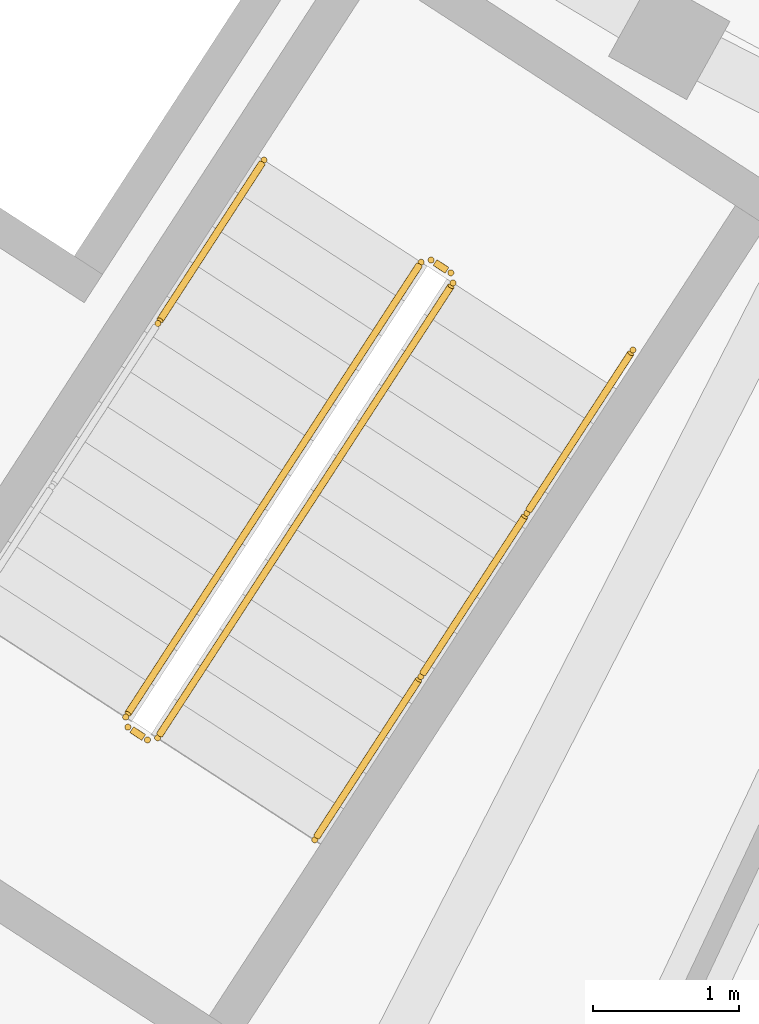
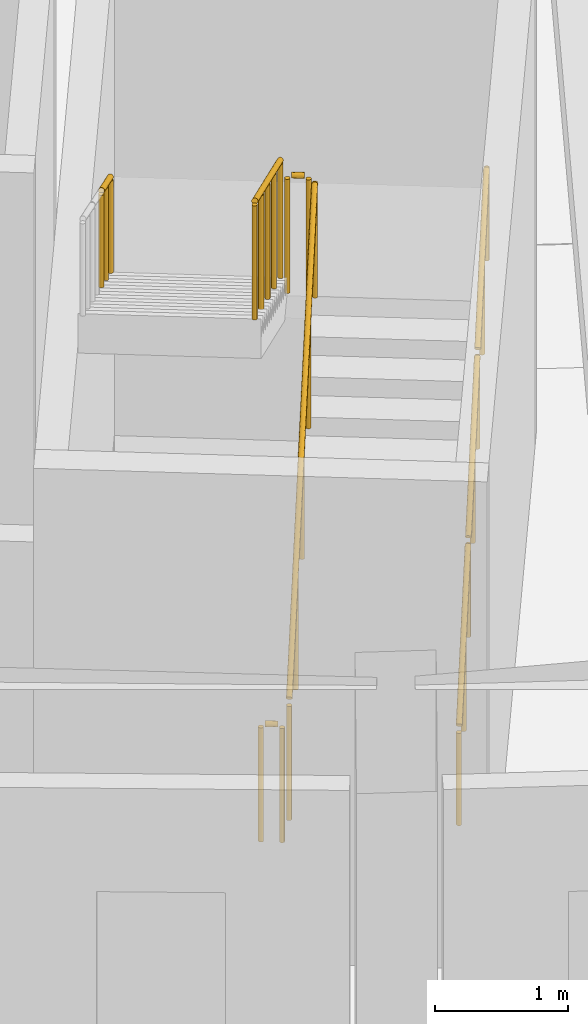
# One storey, part 113 of 132: 8 railings.
"""IFC4 building model written with IfcOpenShell, lengths in metres."""

from ifc_helpers import new_model, si_unit, direction, frame, origin, origin_2d, place, context, subcontext, project, spatial, circle, extrude, material, type_object, element, save


model = new_model("IFC4")

# Units and contexts
model_context = context("Model", 3, precision=1e-05, world=origin(), true_north=direction((0.0, 1.0)))
body_context = subcontext(model_context, "Body", "Model", "MODEL_VIEW")
ifc_project = project(units=[si_unit("LENGTHUNIT", "METRE"), si_unit("AREAUNIT", "SQUARE_METRE"), si_unit("VOLUMEUNIT", "CUBIC_METRE"), si_unit("PLANEANGLEUNIT", "RADIAN"), si_unit("MASSUNIT", "GRAM", prefix="KILO")], contexts=[model_context])

# Site, building, storey
site_placement = place(None, origin())
site = spatial("IfcSite", under=ifc_project, at=site_placement, CompositionType="ELEMENT")
building_placement = place(site_placement, origin())
building = spatial("IfcBuilding", under=site, at=building_placement, Name="Tanwirah Colonnade Gardens", CompositionType="ELEMENT")
storey_placement = place(building_placement, origin())
storey = spatial("IfcBuildingStorey", under=building, at=storey_placement, Name="L00", CompositionType="ELEMENT", Elevation=0.0)

# Railings
ifc_material_1 = material(Name="Powder-coated galvanized steel", Category="steel")
railing_type_1 = type_object("IfcRailingType", Name="GRD-ST110", PredefinedType="GUARDRAIL", material=ifc_material_1)
railing_1_placement = place(storey_placement, frame((39.955078125, 20.84814453125, 0.169921875)))
element("IfcRailing", 1, at=railing_1_placement, inside=storey, type_object=railing_type_1, Name="L00 ST-C2 stair guard 1", PredefinedType="GUARDRAIL", context=body_context, shape_type="SweptSolid", body=[
    extrude(circle(Radius=0.02392578125, at=origin_2d()), frame((0.0146484375, 0.0224609375, 1.092041015625), z_axis=(0.46774451369, 0.720264298335, 0.51228352546), x_axis=(-0.838670882147, 0.544638551186, 0.0)), (0.0, 0.0, 1.0), 4.25146484375),
    extrude(circle(Radius=0.02099609375, at=origin_2d()), origin(), (0.0, 0.0, 1.0), 1.049072265625),
    extrude(circle(Radius=0.02099609375, at=origin_2d()), frame((0.50439453125, 0.77685546875, 0.552490234375)), (0.0, 0.0, 1.0), 1.049072265625),
    extrude(circle(Radius=0.02099609375, at=origin_2d()), frame((1.0087890625, 1.5537109375, 1.10498046875)), (0.0, 0.0, 1.0), 1.049072265625),
    extrude(circle(Radius=0.02099609375, at=origin_2d()), frame((1.513427734375, 2.330322265625, 1.657470703125)), (0.0, 0.0, 1.0), 1.049072265625),
    extrude(circle(Radius=0.02099609375, at=origin_2d()), frame((2.017822265625, 3.107177734375, 2.2099609375)), (0.0, 0.0, 1.0), 1.049072265625),
])
railing_2_placement = place(storey_placement, frame((41.958251953125, 24.024658203125, 2.3798828125)))
element("IfcRailing", 2, at=railing_2_placement, inside=storey, type_object=railing_type_1, Name="L00 ST-C2 stair guard 2", PredefinedType="GUARDRAIL", context=body_context, shape_type="SweptSolid", body=[
    extrude(circle(Radius=0.02392578125, at=origin_2d()), frame((-0.026123046875, 0.01708984375, 1.076171875), z_axis=(-0.838791880614, 0.544452184326, 0.0), x_axis=(-0.544452184326, -0.838791880614, 0.0)), (0.0, 0.0, 1.0), 0.09765625),
    extrude(circle(Radius=0.02099609375, at=origin_2d()), origin(), (0.0, 0.0, 1.0), 1.049072265625),
    extrude(circle(Radius=0.02099609375, at=origin_2d()), frame((-0.13427734375, 0.087158203125, 0.0)), (0.0, 0.0, 1.0), 1.049072265625),
])
railing_3_placement = place(storey_placement, frame((41.7548828125, 24.096923828125, 2.550048828125)))
element("IfcRailing", 3, at=railing_3_placement, inside=storey, type_object=railing_type_1, Name="L00 ST-C2 stair guard 3", PredefinedType="GUARDRAIL", context=body_context, shape_type="SweptSolid", body=[
    extrude(circle(Radius=0.02392578125, at=origin_2d()), frame((-0.0146484375, -0.0224609375, 1.092041015625), z_axis=(-0.46774451369, -0.720264298335, 0.51228352546), x_axis=(0.838670882147, -0.544638551186, 0.0)), (0.0, 0.0, 1.0), 4.25146484375),
    extrude(circle(Radius=0.02099609375, at=origin_2d()), origin(), (0.0, 0.0, 1.0), 1.049072265625),
    extrude(circle(Radius=0.02099609375, at=origin_2d()), frame((-0.50439453125, -0.77685546875, 0.552490234375)), (0.0, 0.0, 1.0), 1.049072265625),
    extrude(circle(Radius=0.02099609375, at=origin_2d()), frame((-1.0087890625, -1.5537109375, 1.10498046875)), (0.0, 0.0, 1.0), 1.049072265625),
    extrude(circle(Radius=0.02099609375, at=origin_2d()), frame((-1.513427734375, -2.330322265625, 1.657470703125)), (0.0, 0.0, 1.0), 1.049072265625),
    extrude(circle(Radius=0.02099609375, at=origin_2d()), frame((-2.017822265625, -3.107177734375, 2.2099609375)), (0.0, 0.0, 1.0), 1.049072265625),
])
railing_4_placement = place(storey_placement, frame((39.8857421875, 20.83349609375, 0.0)))
element("IfcRailing", 4, at=railing_4_placement, inside=storey, type_object=railing_type_1, Name="L00 ST-C2 stair guard 4", PredefinedType="GUARDRAIL", context=body_context, shape_type="SweptSolid", body=[
    extrude(circle(Radius=0.02392578125, at=origin_2d()), frame((-0.026123046875, 0.01708984375, 1.076171875), z_axis=(-0.838338936283, 0.545149362938, 0.0), x_axis=(-0.545149362938, -0.838338936283, 0.0)), (0.0, 0.0, 1.0), 0.097412109375),
    extrude(circle(Radius=0.02099609375, at=origin_2d()), origin(), (0.0, 0.0, 1.0), 1.049072265625),
    extrude(circle(Radius=0.02099609375, at=origin_2d()), frame((-0.134033203125, 0.087158203125, 0.0)), (0.0, 0.0, 1.0), 1.049072265625),
])
ifc_material_2 = material(Name="Brushed bronze stainless steel", Category="steel")
railing_type_2 = type_object("IfcRailingType", Name="HR-ST090", PredefinedType="HANDRAIL", material=ifc_material_2)
railing_5_placement = place(storey_placement, frame((41.028564453125, 20.151123046875, 0.169921875)))
element("IfcRailing", 5, at=railing_5_placement, inside=storey, type_object=railing_type_2, Name="L00 ST-C2 stair handrail 1", PredefinedType="HANDRAIL", context=body_context, shape_type="SweptSolid", body=[
    extrude(circle(Radius=0.02392578125, at=origin_2d()), frame((0.0146484375, 0.0224609375, 0.891845703125), z_axis=(0.466860499636, 0.718779495227, 0.515167265187), x_axis=(-0.838628123767, 0.544704387744, 0.0)), (0.0, 0.0, 1.0), 1.489013671875),
    extrude(circle(Radius=0.02099609375, at=origin_2d()), origin(), (0.0, 0.0, 1.0), 0.848876953125),
    extrude(circle(Radius=0.02099609375, at=origin_2d()), frame((0.3623046875, 0.5576171875, 0.399658203125)), (0.0, 0.0, 1.0), 0.848876953125),
    extrude(circle(Radius=0.02099609375, at=origin_2d()), frame((0.724365234375, 1.115234375, 0.79931640625)), (0.0, 0.0, 1.0), 0.848876953125),
])
railing_6_placement = place(storey_placement, frame((41.7529296875, 21.266357421875, 0.96923828125)))
element("IfcRailing", 6, at=railing_6_placement, inside=storey, type_object=railing_type_2, Name="L00 ST-C2 stair handrail 2", PredefinedType="HANDRAIL", context=body_context, shape_type="SweptSolid", body=[
    extrude(circle(Radius=0.02392578125, at=origin_2d()), frame((0.0146484375, 0.0224609375, 0.891845703125), z_axis=(0.466807700569, 0.718855538895, 0.51510900292), x_axis=(-0.838682582155, 0.544620534308, 0.0)), (0.0, 0.0, 1.0), 1.4892578125),
    extrude(circle(Radius=0.02099609375, at=origin_2d()), origin(), (0.0, 0.0, 1.0), 0.848876953125),
    extrude(circle(Radius=0.02099609375, at=origin_2d()), frame((0.3623046875, 0.5576171875, 0.399658203125)), (0.0, 0.0, 1.0), 0.848876953125),
    extrude(circle(Radius=0.02099609375, at=origin_2d()), frame((0.724365234375, 1.115478515625, 0.79931640625)), (0.0, 0.0, 1.0), 0.848876953125),
])
railing_7_placement = place(storey_placement, frame((42.477294921875, 22.3818359375, 1.7685546875)))
element("IfcRailing", 7, at=railing_7_placement, inside=storey, type_object=railing_type_2, Name="L00 ST-C2 stair handrail 3", PredefinedType="HANDRAIL", context=body_context, shape_type="SweptSolid", body=[
    extrude(circle(Radius=0.02392578125, at=origin_2d()), frame((0.0146484375, 0.0224609375, 0.891845703125), z_axis=(0.466769867538, 0.718797278322, 0.515224575729), x_axis=(-0.838682582155, 0.544620534308, 0.0)), (0.0, 0.0, 1.0), 1.4892578125),
    extrude(circle(Radius=0.02099609375, at=origin_2d()), origin(), (0.0, 0.0, 1.0), 0.848876953125),
    extrude(circle(Radius=0.02099609375, at=origin_2d()), frame((0.3623046875, 0.5576171875, 0.39990234375)), (0.0, 0.0, 1.0), 0.848876953125),
    extrude(circle(Radius=0.02099609375, at=origin_2d()), frame((0.724365234375, 1.115478515625, 0.799560546875)), (0.0, 0.0, 1.0), 0.848876953125),
])
railing_8_placement = place(storey_placement, frame((40.681396484375, 24.794189453125, 2.550048828125)))
element("IfcRailing", 8, at=railing_8_placement, inside=storey, type_object=railing_type_2, Name="L00 ST-C2 stair handrail 4", PredefinedType="HANDRAIL", context=body_context, shape_type="SweptSolid", body=[
    extrude(circle(Radius=0.02392578125, at=origin_2d()), frame((-0.0146484375, -0.0224609375, 0.891845703125), z_axis=(-0.466807700569, -0.718855538895, 0.51510900292), x_axis=(0.838682582155, -0.544620534308, 0.0)), (0.0, 0.0, 1.0), 1.4892578125),
    extrude(circle(Radius=0.02099609375, at=origin_2d()), origin(), (0.0, 0.0, 1.0), 0.848876953125),
    extrude(circle(Radius=0.02099609375, at=origin_2d()), frame((-0.3623046875, -0.5576171875, 0.399658203125)), (0.0, 0.0, 1.0), 0.848876953125),
    extrude(circle(Radius=0.02099609375, at=origin_2d()), frame((-0.724365234375, -1.115478515625, 0.79931640625)), (0.0, 0.0, 1.0), 0.848876953125),
])

save(model, "model.ifc")
